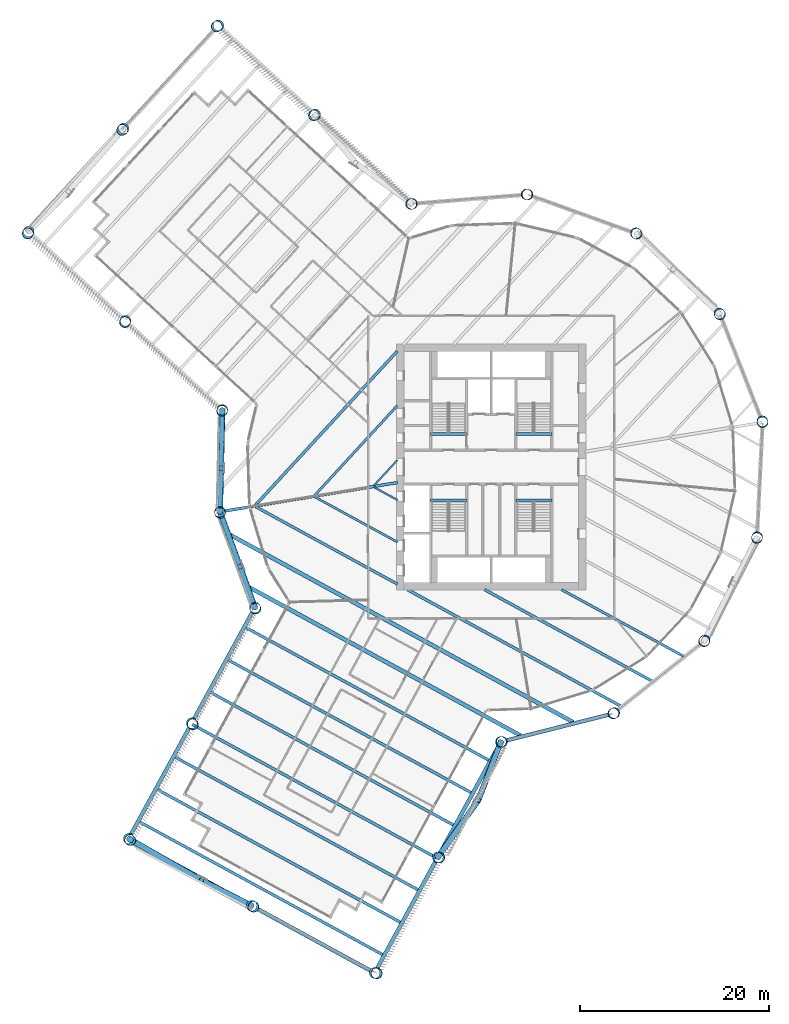
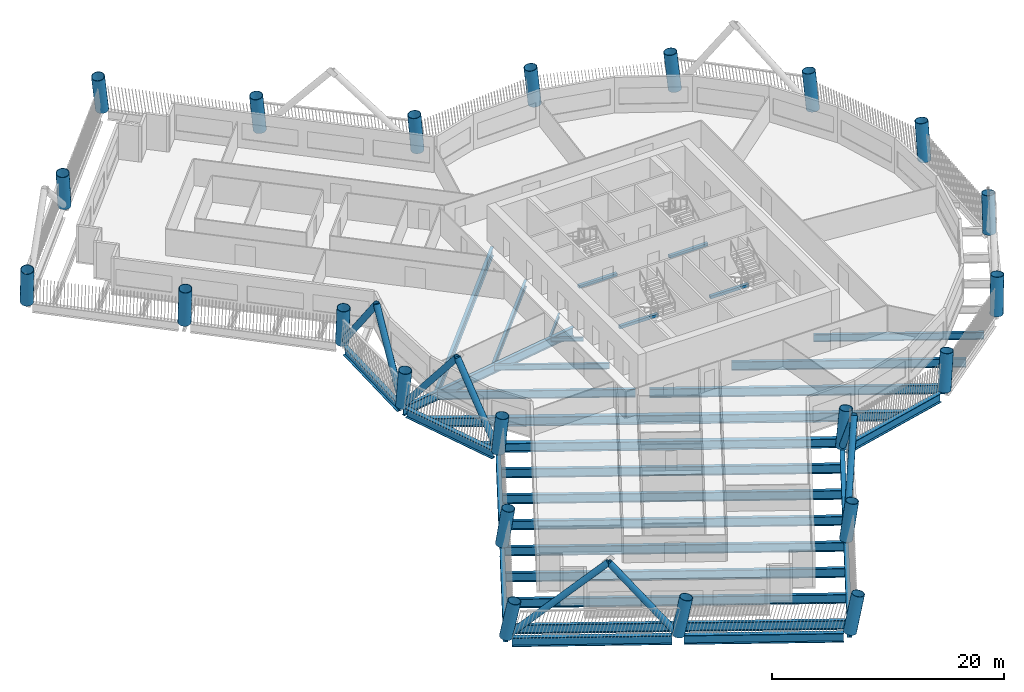
# One storey, part 1 of 24: 32 beams, 22 columns, 8 members.
"""IFC4 building model written with IfcOpenShell, lengths in metres."""

from ifc_helpers import new_model, si_unit, direction, frame, origin, origin_2d, place, context, subcontext, project, spatial, rectangle, hollow_circle, i_section, extrude, material, material_profile, profile_set, type_object, element, save


model = new_model("IFC4")

# Units and contexts
model_context = context("Model", 3, precision=1e-05, world=origin(), true_north=direction((0.0, 1.0)))
body_context = subcontext(model_context, "Body", "Model", "MODEL_VIEW")
ifc_project = project(units=[si_unit("LENGTHUNIT", "METRE"), si_unit("AREAUNIT", "SQUARE_METRE"), si_unit("VOLUMEUNIT", "CUBIC_METRE"), si_unit("PLANEANGLEUNIT", "RADIAN"), si_unit("MASSUNIT", "GRAM", prefix="KILO")], contexts=[model_context])

# Site, building, storey
site_placement = place(None, origin())
site = spatial("IfcSite", under=ifc_project, at=site_placement, CompositionType="ELEMENT")
building_placement = place(site_placement, origin())
building = spatial("IfcBuilding", under=site, at=building_placement, Name="Tarsis Ring Headquarters", CompositionType="ELEMENT")
storey_placement = place(building_placement, frame((0.0, 0.0, 92.800048828125)))
storey = spatial("IfcBuildingStorey", under=building, at=storey_placement, Name="L20", CompositionType="ELEMENT", Elevation=92.800048828125)

# Columns
ifc_material_1 = material(Name="Structural steel S355", Category="steel")
ifc_material_profile_1 = material_profile(ifc_material_1, hollow_circle(Radius=0.584228515625, WallThickness=0.044921875, at=origin_2d()), Name="CHS 1168x45")
ifc_profile_set_1 = profile_set([ifc_material_profile_1], Name="Structural steel S355")
column_type = type_object("IfcColumnType", Name="XC Exo column CHS 1168x45", PredefinedType="COLUMN", material=ifc_profile_set_1)
for number, where, z_axis, x_axis, name in (
    (1, (-28.66162109375, -4.725830078125, 0.0146484375), (0.017132929261, -0.099421012867, 0.994897946995), (0.985474426225, 0.169823894834, 0.0), "Exo column XC3 F1"),
    (2, (-24.968994140625, -14.844970703125, 0.0146484375), (0.052149181845, -0.08635254212, 0.994898839733), (0.856012692494, 0.516954804881, 0.0), "Exo column XC3 AK"),
):
    element("IfcColumn", number, at=place(storey_placement, frame(where, z_axis=z_axis, x_axis=x_axis)), inside=storey, type_object=column_type, Name=name, PredefinedType="COLUMN", context=body_context, shape_type="SweptSolid", body=[
        extrude(hollow_circle(Radius=0.584228515625, WallThickness=0.044921875, at=origin_2d()), origin(), (0.0, 0.0, 1.0), 3.904541015625),
    ])
column_1_placement = place(storey_placement, frame((-31.631103515625, -27.047119140625, 0.020751953125), z_axis=(0.094133183871, -0.108648757558, 0.989613253335), x_axis=(0.755789165961, 0.654815040004, 0.0)))
element("IfcColumn", 3, at=column_1_placement, inside=storey, type_object=column_type, Name="Exo column XC3 AI1", PredefinedType="COLUMN", context=body_context, shape_type="SweptSolid", body=[
    extrude(hollow_circle(Radius=0.584228515625, WallThickness=0.044921875, at=origin_2d()), origin(), (0.0, 0.0, 1.0), 3.9189453125),
])
column_2_placement = place(storey_placement, frame((-38.292724609375, -39.249755859375, 0.02685546875), z_axis=(0.135444086258, -0.130365707166, 0.982170902589), x_axis=(0.693470734013, 0.720484795861, 0.0)))
element("IfcColumn", 4, at=column_2_placement, inside=storey, type_object=column_type, Name="Exo column XC3 AT1", PredefinedType="COLUMN", context=body_context, shape_type="SweptSolid", body=[
    extrude(hollow_circle(Radius=0.584228515625, WallThickness=0.044921875, at=origin_2d()), origin(), (0.0, 0.0, 1.0), 3.942138671875),
])
column_3_placement = place(storey_placement, frame((-25.302978515625, -46.342041015625, 0.02587890625), z_axis=(0.15963920976, -0.085802200508, 0.98343952793), x_axis=(0.473426526032, 0.880833312523, 0.0)))
element("IfcColumn", 5, at=column_3_placement, inside=storey, type_object=column_type, Name="Exo column XC3 AT2", PredefinedType="COLUMN", context=body_context, shape_type="SweptSolid", body=[
    extrude(hollow_circle(Radius=0.584228515625, WallThickness=0.044921875, at=origin_2d()), origin(), (0.0, 0.0, 1.0), 3.93798828125),
])
column_4_placement = place(storey_placement, frame((-12.31298828125, -53.4345703125, 0.02685546875), z_axis=(0.183441773061, -0.040998802757, 0.982175246109), x_axis=(0.218116429322, 0.975922754761, 0.0)))
element("IfcColumn", 6, at=column_4_placement, inside=storey, type_object=column_type, Name="Exo column XC3 AT3", PredefinedType="COLUMN", context=body_context, shape_type="SweptSolid", body=[
    extrude(hollow_circle(Radius=0.584228515625, WallThickness=0.044921875, at=origin_2d()), origin(), (0.0, 0.0, 1.0), 3.942138671875),
])
column_5_placement = place(storey_placement, frame((-5.651611328125, -41.232666015625, 0.020751953125), z_axis=(0.142539447131, -0.018565015404, 0.989614998984), x_axis=(0.12915389828, 0.991624561293, 0.0)))
element("IfcColumn", 7, at=column_5_placement, inside=storey, type_object=column_type, Name="Exo column XC3 AO1", PredefinedType="COLUMN", context=body_context, shape_type="SweptSolid", body=[
    extrude(hollow_circle(Radius=0.584228515625, WallThickness=0.044921875, at=origin_2d()), origin(), (0.0, 0.0, 1.0), 3.9189453125),
])
for number, where, z_axis, x_axis, name in (
    (8, (1.01025390625, -29.031005859375, 0.0146484375), (0.100796677701, 0.004189440078, 0.994898225125), (-0.04152742148, 0.999137364563, 0.0), "Exo column XC3 AJ"),
    (9, (12.88671875, -26.03369140625, 0.0146484375), (0.090104133857, 0.045395975836, 0.994897205966), (-0.44993841657, 0.893059584403, 0.0), "Exo column XC3 R1"),
    (10, (22.471923828125, -18.407470703125, 0.0146484375), (0.063342060546, 0.078474122395, 0.994901801928), (-0.778139307299, 0.628091727724, 0.0), "Exo column XC3 R2"),
    (11, (28.061279296875, -7.50830078125, 0.0146484375), (0.025449318236, 0.097607827437, 0.994899514637), (-0.967650178748, 0.252295722454, 0.0), "Exo column XC3 R3"),
    (12, (28.66162109375, 4.725830078125, 0.0146484375), (-0.017132929261, 0.099421012867, 0.994897946995), (-0.985474426225, -0.169823894834, 0.0), "Exo column XC3 R4"),
    (13, (24.16552734375, 16.11962890625, 0.0146484375), (-0.056526278352, 0.083538836149, 0.994900016439), (-0.828215712343, -0.5604094341, 0.0), "Exo column XC3 R5"),
    (14, (15.372802734375, 24.6474609375, 0.0146484375), (-0.085977327138, 0.052774446622, 0.994898365162), (-0.523128783127, -0.852253645498, 0.0), "Exo column XC3 R6"),
    (15, (3.8466796875, 28.792724609375, 0.0146484375), (-0.100108589694, 0.012693343977, 0.994895546923), (-0.125788622378, -0.992057066141, 0.0), "Exo column XC3 R7"),
    (16, (-8.36328125, 27.818603515625, 0.0146484375), (-0.09641958365, -0.029701233615, 0.994897532719), (0.294390693657, -0.955685157093, 0.0), "Exo column XC3 BJ"),
):
    element("IfcColumn", number, at=place(storey_placement, frame(where, z_axis=z_axis, x_axis=x_axis)), inside=storey, type_object=column_type, Name=name, PredefinedType="COLUMN", context=body_context, shape_type="SweptSolid", body=[
        extrude(hollow_circle(Radius=0.584228515625, WallThickness=0.044921875, at=origin_2d()), origin(), (0.0, 0.0, 1.0), 3.904541015625),
    ])
column_6_placement = place(storey_placement, frame((-18.591552734375, 37.23486328125, 0.020751953125), z_axis=(-0.128148563132, -0.065102211217, 0.989615909261), x_axis=(0.452925612236, -0.891548310402, 0.0)))
element("IfcColumn", 17, at=column_6_placement, inside=storey, type_object=column_type, Name="Exo column XC3 BO1", PredefinedType="COLUMN", context=body_context, shape_type="SweptSolid", body=[
    extrude(hollow_circle(Radius=0.584228515625, WallThickness=0.044921875, at=origin_2d()), origin(), (0.0, 0.0, 1.0), 3.9189453125),
])
column_7_placement = place(storey_placement, frame((-28.820068359375, 46.650634765625, 0.02685546875), z_axis=(-0.159226430855, -0.099895851019, 0.982175016311), x_axis=(0.531449351583, -0.847090070006, 0.0)))
element("IfcColumn", 18, at=column_7_placement, inside=storey, type_object=column_type, Name="Exo column XC3 BT3", PredefinedType="COLUMN", context=body_context, shape_type="SweptSolid", body=[
    extrude(hollow_circle(Radius=0.584228515625, WallThickness=0.044921875, at=origin_2d()), origin(), (0.0, 0.0, 1.0), 3.942138671875),
])
column_8_placement = place(storey_placement, frame((-38.84423828125, 35.7626953125, 0.02587890625), z_axis=(-0.121822224752, -0.134159437335, 0.983443232185), x_axis=(0.740326953678, -0.672246979657, 0.0)))
element("IfcColumn", 19, at=column_8_placement, inside=storey, type_object=column_type, Name="Exo column XC3 BT2", PredefinedType="COLUMN", context=body_context, shape_type="SweptSolid", body=[
    extrude(hollow_circle(Radius=0.584228515625, WallThickness=0.044921875, at=origin_2d()), origin(), (0.0, 0.0, 1.0), 3.93798828125),
])
column_9_placement = place(storey_placement, frame((-48.86865234375, 24.874267578125, 0.02685546875), z_axis=(-0.084165056298, -0.168082386161, 0.982173383248), x_axis=(0.894163465001, -0.447740659151, 0.0)))
element("IfcColumn", 20, at=column_9_placement, inside=storey, type_object=column_type, Name="Exo column XC3 BT1", PredefinedType="COLUMN", context=body_context, shape_type="SweptSolid", body=[
    extrude(hollow_circle(Radius=0.584228515625, WallThickness=0.044921875, at=origin_2d()), origin(), (0.0, 0.0, 1.0), 3.942138671875),
])
column_10_placement = place(storey_placement, frame((-38.640625, 15.458984375, 0.020751953125), z_axis=(-0.052517292074, -0.13387860103, 0.989605201189), x_axis=(0.930935662527, -0.365183231043, 0.0)))
element("IfcColumn", 21, at=column_10_placement, inside=storey, type_object=column_type, Name="Exo column XC3 BI1", PredefinedType="COLUMN", context=body_context, shape_type="SweptSolid", body=[
    extrude(hollow_circle(Radius=0.584228515625, WallThickness=0.044921875, at=origin_2d()), origin(), (0.0, 0.0, 1.0), 3.9189453125),
])
column_11_placement = place(storey_placement, frame((-28.4130859375, 6.04296875, 0.0146484375), z_axis=(-0.020321950873, -0.098795945782, 0.994900185652), x_axis=(0.979493040302, -0.201477998796, 0.0)))
element("IfcColumn", 22, at=column_11_placement, inside=storey, type_object=column_type, Name="Exo column XC3 BK", PredefinedType="COLUMN", context=body_context, shape_type="SweptSolid", body=[
    extrude(hollow_circle(Radius=0.584228515625, WallThickness=0.044921875, at=origin_2d()), origin(), (0.0, 0.0, 1.0), 3.904541015625),
])

# Beams
ifc_material_profile_2 = material_profile(ifc_material_1, i_section(OverallWidth=0.177734375, OverallDepth=0.406494140625, WebThickness=0.0078125, FlangeThickness=0.0126953125, at=origin_2d()), Name="W16x40")
ifc_profile_set_2 = profile_set([ifc_material_profile_2], Name="Structural steel S355")
beam_type_1 = type_object("IfcBeamType", Name="FB Floor beam W16x40", PredefinedType="JOIST", material=ifc_profile_set_2)
beam_1_placement = place(storey_placement, frame((-12.367431640625, -2.13330078125, -0.36328125), z_axis=(0.877641961967, -0.47931679148, 0.0), x_axis=(0.47931679148, 0.877641961967, 0.0)))
element("IfcBeam", 23, at=beam_1_placement, inside=storey, type_object=beam_type_1, Name="Floor beam FB1", PredefinedType="JOIST", context=body_context, shape_type="SweptSolid", body=[
    extrude(i_section(OverallWidth=0.177734375, OverallDepth=0.406494140625, WebThickness=0.0078125, FlangeThickness=0.0126953125, at=origin_2d()), origin(), (0.0, 0.0, 1.0), 2.79736328125),
])
beam_2_placement = place(storey_placement, frame((-9.932373046875, 0.728759765625, -0.36328125), z_axis=(-0.677363063343, -0.735648883924, 0.0), x_axis=(0.735648883924, -0.677363063343, 0.0)))
element("IfcBeam", 24, at=beam_2_placement, inside=storey, type_object=beam_type_1, Name="Floor beam FB1", PredefinedType="JOIST", context=body_context, shape_type="SweptSolid", body=[
    extrude(i_section(OverallWidth=0.177734375, OverallDepth=0.406494140625, WebThickness=0.0078125, FlangeThickness=0.0126953125, at=origin_2d()), origin(), (0.0, 0.0, 1.0), 3.639892578125),
])
ifc_material_profile_3 = material_profile(ifc_material_1, i_section(OverallWidth=0.228271484375, OverallDepth=0.607177734375, WebThickness=0.01123046875, FlangeThickness=0.017333984375, at=origin_2d()), Name="W24x76")
ifc_profile_set_3 = profile_set([ifc_material_profile_3], Name="Structural steel S355")
beam_type_2 = type_object("IfcBeamType", Name="FB Floor beam W24x76", PredefinedType="JOIST", material=ifc_profile_set_3)
beam_3_placement = place(storey_placement, frame((-18.617919921875, -3.163330078125, -0.463623046875), z_axis=(0.877645248492, -0.479310773715, 0.0), x_axis=(0.479310773715, 0.877645248492, 0.0)))
element("IfcBeam", 25, at=beam_3_placement, inside=storey, type_object=beam_type_2, Name="Floor beam FB4", PredefinedType="JOIST", context=body_context, shape_type="SweptSolid", body=[
    extrude(i_section(OverallWidth=0.228271484375, OverallDepth=0.607177734375, WebThickness=0.01123046875, FlangeThickness=0.017333984375, at=origin_2d()), origin(), (0.0, 0.0, 1.0), 9.919189453125),
])
ifc_material_profile_4 = material_profile(ifc_material_1, i_section(OverallWidth=0.2529296875, OverallDepth=0.67822265625, WebThickness=0.01171875, FlangeThickness=0.016357421875, at=origin_2d()), Name="W27x84")
ifc_profile_set_4 = profile_set([ifc_material_profile_4], Name="Structural steel S355")
beam_type_3 = type_object("IfcBeamType", Name="FB Floor beam W27x84", PredefinedType="JOIST", material=ifc_profile_set_4)
beam_4_placement = place(storey_placement, frame((-9.932373046875, 6.486083984375, -0.499267578125), z_axis=(-0.677381197749, -0.735632185903, 0.0), x_axis=(0.735632185903, -0.677381197749, 0.0)))
element("IfcBeam", 26, at=beam_4_placement, inside=storey, type_object=beam_type_3, Name="Floor beam FB5", PredefinedType="JOIST", context=body_context, shape_type="SweptSolid", body=[
    extrude(i_section(OverallWidth=0.2529296875, OverallDepth=0.67822265625, WebThickness=0.01171875, FlangeThickness=0.016357421875, at=origin_2d()), origin(), (0.0, 0.0, 1.0), 12.866943359375),
])
ifc_material_profile_5 = material_profile(ifc_material_1, i_section(OverallWidth=0.2666015625, OverallDepth=0.7568359375, WebThickness=0.013916015625, FlangeThickness=0.019287109375, at=origin_2d()), Name="W30x108")
ifc_profile_set_5 = profile_set([ifc_material_profile_5], Name="Structural steel S355")
beam_type_4 = type_object("IfcBeamType", Name="FB Floor beam W30x108", PredefinedType="JOIST", material=ifc_profile_set_5)
beam_5_placement = place(storey_placement, frame((7.44287109375, -12.9521484375, -0.53857421875), z_axis=(0.877646552512, -0.479308385973, 0.0), x_axis=(0.479308385973, 0.877646552512, 0.0)))
element("IfcBeam", 27, at=beam_5_placement, inside=storey, type_object=beam_type_4, Name="Floor beam FB6", PredefinedType="JOIST", context=body_context, shape_type="SweptSolid", body=[
    extrude(i_section(OverallWidth=0.2666015625, OverallDepth=0.7568359375, WebThickness=0.013916015625, FlangeThickness=0.019287109375, at=origin_2d()), origin(), (0.0, 0.0, 1.0), 14.65673828125),
])
ifc_material_profile_6 = material_profile(ifc_material_1, i_section(OverallWidth=0.2919921875, OverallDepth=0.835693359375, WebThickness=0.013916015625, FlangeThickness=0.018798828125, at=origin_2d()), Name="W33x118")
ifc_profile_set_6 = profile_set([ifc_material_profile_6], Name="Structural steel S355")
beam_type_5 = type_object("IfcBeamType", Name="FB Floor beam W33x118", PredefinedType="JOIST", material=ifc_profile_set_6)
beam_6_placement = place(storey_placement, frame((-24.8681640625, -4.193603515625, -0.577880859375), z_axis=(0.877642496565, -0.479315812616, 0.0), x_axis=(0.479315812616, 0.877642496565, 0.0)))
element("IfcBeam", 28, at=beam_6_placement, inside=storey, type_object=beam_type_5, Name="Floor beam FB7", PredefinedType="JOIST", context=body_context, shape_type="SweptSolid", body=[
    extrude(i_section(OverallWidth=0.2919921875, OverallDepth=0.835693359375, WebThickness=0.013916015625, FlangeThickness=0.018798828125, at=origin_2d()), origin(), (0.0, 0.0, 1.0), 17.040771484375),
])
ifc_material_profile_7 = material_profile(ifc_material_1, i_section(OverallWidth=0.3046875, OverallDepth=0.904296875, WebThickness=0.01513671875, FlangeThickness=0.02001953125, at=origin_2d()), Name="W36x135")
ifc_profile_set_7 = profile_set([ifc_material_profile_7], Name="Structural steel S355")
beam_type_6 = type_object("IfcBeamType", Name="FB Floor beam W36x135", PredefinedType="JOIST", material=ifc_profile_set_7)
beam_7_placement = place(storey_placement, frame((-0.694091796875, -12.9521484375, -0.612060546875), z_axis=(0.87765241686, -0.479297647793, 0.0), x_axis=(0.479297647793, 0.87765241686, 0.0)))
element("IfcBeam", 29, at=beam_7_placement, inside=storey, type_object=beam_type_6, Name="Floor beam FB8", PredefinedType="JOIST", context=body_context, shape_type="SweptSolid", body=[
    extrude(i_section(OverallWidth=0.3046875, OverallDepth=0.904296875, WebThickness=0.01513671875, FlangeThickness=0.02001953125, at=origin_2d()), origin(), (0.0, 0.0, 1.0), 20.154296875),
])
ifc_material_profile_8 = material_profile(ifc_material_1, i_section(OverallWidth=0.3046875, OverallDepth=0.91943359375, WebThickness=0.017333984375, FlangeThickness=0.02783203125, at=origin_2d()), Name="W36x170")
ifc_profile_set_8 = profile_set([ifc_material_profile_8], Name="Structural steel S355")
beam_type_7 = type_object("IfcBeamType", Name="FB Floor beam W36x170", PredefinedType="JOIST", material=ifc_profile_set_8)
beam_8_placement = place(storey_placement, frame((-9.932373046875, 12.243408203125, -0.619873046875), z_axis=(-0.677384185346, -0.735629434868, 0.0), x_axis=(0.735629434868, -0.677384185346, 0.0)))
element("IfcBeam", 30, at=beam_8_placement, inside=storey, type_object=beam_type_7, Name="Floor beam FB9", PredefinedType="JOIST", context=body_context, shape_type="SweptSolid", body=[
    extrude(i_section(OverallWidth=0.3046875, OverallDepth=0.91943359375, WebThickness=0.017333984375, FlangeThickness=0.02783203125, at=origin_2d()), origin(), (0.0, 0.0, 1.0), 22.093994140625),
])
ifc_material_profile_9 = material_profile(ifc_material_1, i_section(OverallWidth=0.309814453125, OverallDepth=0.93212890625, WebThickness=0.02099609375, FlangeThickness=0.034423828125, at=origin_2d()), Name="W36x210")
ifc_profile_set_9 = profile_set([ifc_material_profile_9], Name="Structural steel S355")
beam_type_8 = type_object("IfcBeamType", Name="FB Floor beam W36x210", PredefinedType="JOIST", material=ifc_profile_set_9)
beam_9_placement = place(storey_placement, frame((-8.830810546875, -12.9521484375, -0.626220703125), z_axis=(0.877649577535, -0.479302846907, 0.0), x_axis=(0.479302846907, 0.877649577535, 0.0)))
element("IfcBeam", 31, at=beam_9_placement, inside=storey, type_object=beam_type_8, Name="Floor beam FB10", PredefinedType="JOIST", context=body_context, shape_type="SweptSolid", body=[
    extrude(i_section(OverallWidth=0.309814453125, OverallDepth=0.93212890625, WebThickness=0.02099609375, FlangeThickness=0.034423828125, at=origin_2d()), origin(), (0.0, 0.0, 1.0), 25.651611328125),
])
ifc_material_profile_10 = material_profile(ifc_material_1, i_section(OverallWidth=0.309814453125, OverallDepth=0.949951171875, WebThickness=0.0244140625, FlangeThickness=0.0439453125, at=origin_2d()), Name="W36x256")
ifc_profile_set_10 = profile_set([ifc_material_profile_10], Name="Structural steel S355")
beam_type_9 = type_object("IfcBeamType", Name="FB Floor beam W36x256", PredefinedType="JOIST", material=ifc_profile_set_10)
for number, where, z_axis, x_axis, name in (
    (32, (-25.975830078125, -16.919921875, -0.635009765625), (0.877651212551, -0.479299853024, 0.0), (0.479299853024, 0.877651212551, 0.0), "Floor beam FB11"),
    (33, (-27.84521484375, -20.3427734375, -0.635009765625), (0.877651212551, -0.479299853024, 0.0), (0.479299853024, 0.877651212551, 0.0), "Floor beam FB11"),
    (34, (-29.71435546875, -23.765380859375, -0.635009765625), (0.877645807158, -0.479309750764, 0.0), (0.479309750764, 0.877645807158, 0.0), "Floor beam FB11"),
):
    element("IfcBeam", number, at=place(storey_placement, frame(where, z_axis=z_axis, x_axis=x_axis)), inside=storey, type_object=beam_type_9, Name=name, PredefinedType="JOIST", context=body_context, shape_type="SweptSolid", body=[
        extrude(i_section(OverallWidth=0.309814453125, OverallDepth=0.949951171875, WebThickness=0.0244140625, FlangeThickness=0.0439453125, at=origin_2d()), origin(), (0.0, 0.0, 1.0), 29.375732421875),
    ])
beam_10_placement = place(storey_placement, frame((-31.583740234375, -27.188232421875, -0.635009765625), z_axis=(0.87764771648, -0.479306254662, 0.0), x_axis=(0.479306254662, 0.87764771648, 0.0)))
element("IfcBeam", 35, at=beam_10_placement, inside=storey, type_object=beam_type_9, Name="Floor beam FB11", PredefinedType="JOIST", context=body_context, shape_type="SweptSolid", body=[
    extrude(i_section(OverallWidth=0.309814453125, OverallDepth=0.949951171875, WebThickness=0.0244140625, FlangeThickness=0.0439453125, at=origin_2d()), origin(), (0.0, 0.0, 1.0), 29.3759765625),
])
beam_11_placement = place(storey_placement, frame((-33.452880859375, -30.611083984375, -0.635009765625), z_axis=(0.877645807158, -0.479309750764, 0.0), x_axis=(0.479309750764, 0.877645807158, 0.0)))
element("IfcBeam", 36, at=beam_11_placement, inside=storey, type_object=beam_type_9, Name="Floor beam FB11", PredefinedType="JOIST", context=body_context, shape_type="SweptSolid", body=[
    extrude(i_section(OverallWidth=0.309814453125, OverallDepth=0.949951171875, WebThickness=0.0244140625, FlangeThickness=0.0439453125, at=origin_2d()), origin(), (0.0, 0.0, 1.0), 29.375732421875),
])
for number, where, z_axis, x_axis, name in (
    (37, (-35.322265625, -34.033935546875, -0.635009765625), (0.87764771648, -0.479306254662, 0.0), (0.479306254662, 0.87764771648, 0.0), "Floor beam FB11"),
    (38, (-37.191650390625, -37.456787109375, -0.635009765625), (0.87764771648, -0.479306254662, 0.0), (0.479306254662, 0.87764771648, 0.0), "Floor beam FB11"),
):
    element("IfcBeam", number, at=place(storey_placement, frame(where, z_axis=z_axis, x_axis=x_axis)), inside=storey, type_object=beam_type_9, Name=name, PredefinedType="JOIST", context=body_context, shape_type="SweptSolid", body=[
        extrude(i_section(OverallWidth=0.309814453125, OverallDepth=0.949951171875, WebThickness=0.0244140625, FlangeThickness=0.0439453125, at=origin_2d()), origin(), (0.0, 0.0, 1.0), 29.3759765625),
    ])
beam_type_10 = type_object("IfcBeamType", Name="FB Floor beam W36x256 spine", PredefinedType="BEAM", material=ifc_profile_set_10)
beam_12_placement = place(storey_placement, frame((-9.9013671875, -1.632080078125, -0.635009765625), z_axis=(-0.986685653206, -0.162638930634, 0.0), x_axis=(0.162638930634, -0.986685653206, 0.0)))
element("IfcBeam", 39, at=beam_12_placement, inside=storey, type_object=beam_type_10, Name="Floor beam SB11", PredefinedType="BEAM", context=body_context, shape_type="SweptSolid", body=[
    extrude(i_section(OverallWidth=0.309814453125, OverallDepth=0.949951171875, WebThickness=0.0244140625, FlangeThickness=0.0439453125, at=origin_2d()), origin(), (0.0, 0.0, 1.0), 18.897705078125),
])
ifc_material_profile_11 = material_profile(ifc_material_1, i_section(OverallWidth=0.42431640625, OverallDepth=0.947509765625, WebThickness=0.02392578125, FlangeThickness=0.042724609375, at=origin_2d()), Name="W36x302")
ifc_profile_set_11 = profile_set([ifc_material_profile_11], Name="Structural steel S355")
beam_type_11 = type_object("IfcBeamType", Name="FB Floor beam W36x302", PredefinedType="JOIST", material=ifc_profile_set_11)
beam_13_placement = place(storey_placement, frame((-27.628662109375, -7.1298828125, -0.6337890625), z_axis=(0.877650204779, -0.479301698361, 0.0), x_axis=(0.479301698361, 0.877650204779, 0.0)))
element("IfcBeam", 40, at=beam_13_placement, inside=storey, type_object=beam_type_11, Name="Floor beam FB12", PredefinedType="JOIST", context=body_context, shape_type="SweptSolid", body=[
    extrude(i_section(OverallWidth=0.42431640625, OverallDepth=0.947509765625, WebThickness=0.02392578125, FlangeThickness=0.042724609375, at=origin_2d()), origin(), (0.0, 0.0, 1.0), 41.35302734375),
])
beam_14_placement = place(storey_placement, frame((-25.603759765625, -12.67919921875, -0.6337890625), z_axis=(0.877647540498, -0.479306576898, 0.0), x_axis=(0.479306576898, 0.877647540498, 0.0)))
element("IfcBeam", 41, at=beam_14_placement, inside=storey, type_object=beam_type_11, Name="Floor beam FB12", PredefinedType="JOIST", context=body_context, shape_type="SweptSolid", body=[
    extrude(i_section(OverallWidth=0.42431640625, OverallDepth=0.947509765625, WebThickness=0.02392578125, FlangeThickness=0.042724609375, at=origin_2d()), origin(), (0.0, 0.0, 1.0), 32.70458984375),
])
ifc_material_2 = material(Name="Concrete C40/50", Category="concrete")
ifc_material_profile_12 = material_profile(ifc_material_2, rectangle(XDim=0.300048828125, YDim=0.300048828125, at=origin_2d()), Name="Stair head beam 300x300 C40/50")
ifc_profile_set_12 = profile_set([ifc_material_profile_12], Name="Concrete C40/50")
beam_type_12 = type_object("IfcBeamType", Name="Stair head beam 300x300 C40/50", PredefinedType="BEAM", material=ifc_profile_set_12)
for number, where, z_axis, x_axis, name in (
    (42, (-6.39990234375, 3.510009765625, -0.31005859375), (1.0, 0.0, 0.0), (0.0, 1.0, 0.0), "Stair head beam L20 Firefighting stair"),
    (43, (2.60009765625, 3.510009765625, -0.31005859375), (1.0, 0.0, 0.0), (0.0, 1.0, 0.0), "Stair head beam L20 Exit stair B"),
    (44, (-6.39990234375, -3.510009765625, -0.31005859375), (1.0, 0.0, 0.0), (0.0, 1.0, 0.0), "Stair head beam L20 Exit stair C"),
    (45, (2.60009765625, -3.510009765625, -0.31005859375), (1.0, 0.0, 0.0), (0.0, 1.0, 0.0), "Stair head beam L20 Exit stair D"),
):
    element("IfcBeam", number, at=place(storey_placement, frame(where, z_axis=z_axis, x_axis=x_axis)), inside=storey, type_object=beam_type_12, Name=name, PredefinedType="BEAM", context=body_context, shape_type="SweptSolid", body=[
        extrude(rectangle(XDim=0.300048828125, YDim=0.300048828125, at=origin_2d()), origin(), (0.0, 0.0, 1.0), 3.7998046875),
    ])

# Members
ifc_material_profile_13 = material_profile(ifc_material_1, hollow_circle(Radius=0.3046875, WallThickness=0.02490234375, at=origin_2d()), Name="CHS 610x25")
ifc_profile_set_13 = profile_set([ifc_material_profile_13], Name="Structural steel S355")
member_type = type_object("IfcMemberType", Name="XD X brace CHS 610x25", PredefinedType="BRACE", material=ifc_profile_set_13)
member_1_placement = place(storey_placement, frame((-28.661865234375, -4.724365234375, 0.0), z_axis=(0.213516634804, -0.582025618612, 0.784638022238), x_axis=(0.938820393345, 0.344407126872, 0.0)))
element("IfcMember", 46, at=member_1_placement, inside=storey, type_object=member_type, Name="X brace XD1", PredefinedType="BRACE", context=body_context, shape_type="SweptSolid", body=[
    extrude(hollow_circle(Radius=0.3046875, WallThickness=0.02490234375, at=origin_2d()), origin(), (0.0, 0.0, 1.0), 9.94091796875),
])
member_2_placement = place(storey_placement, frame((-24.9697265625, -14.843505859375, 0.0), z_axis=(-0.173245139191, 0.478290243507, 0.86094399627), x_axis=(-0.940221110473, -0.340564624442, 0.0)))
element("IfcMember", 47, at=member_2_placement, inside=storey, type_object=member_type, Name="X brace XD1", PredefinedType="BRACE", context=body_context, shape_type="SweptSolid", body=[
    extrude(hollow_circle(Radius=0.3046875, WallThickness=0.02490234375, at=origin_2d()), origin(), (0.0, 0.0, 1.0), 9.059814453125),
])
member_3_placement = place(storey_placement, frame((-38.29638671875, -39.24609375, 0.0), z_axis=(0.650626673911, -0.372895925481, 0.661538781898), x_axis=(0.497253604741, 0.867605240056, 0.0)))
element("IfcMember", 48, at=member_3_placement, inside=storey, type_object=member_type, Name="X brace XD1", PredefinedType="BRACE", context=body_context, shape_type="SweptSolid", body=[
    extrude(hollow_circle(Radius=0.3046875, WallThickness=0.02490234375, at=origin_2d()), origin(), (0.0, 0.0, 1.0), 11.790771484375),
])
member_4_placement = place(storey_placement, frame((-25.307373046875, -46.33984375, 0.0), z_axis=(-0.541623781498, 0.274703545026, 0.794469408892), x_axis=(-0.452332714506, -0.89184926719, 0.0)))
element("IfcMember", 49, at=member_4_placement, inside=storey, type_object=member_type, Name="X brace XD1", PredefinedType="BRACE", context=body_context, shape_type="SweptSolid", body=[
    extrude(hollow_circle(Radius=0.3046875, WallThickness=0.02490234375, at=origin_2d()), origin(), (0.0, 0.0, 1.0), 9.81787109375),
])
member_5_placement = place(storey_placement, frame((-5.65478515625, -41.232177734375, 0.0), z_axis=(0.398499455216, 0.562136469669, 0.724707371054), x_axis=(-0.815805747308, 0.578326017622, 0.0)))
element("IfcMember", 50, at=member_5_placement, inside=storey, type_object=member_type, Name="X brace XD1", PredefinedType="BRACE", context=body_context, shape_type="SweptSolid", body=[
    extrude(hollow_circle(Radius=0.3046875, WallThickness=0.02490234375, at=origin_2d()), origin(), (0.0, 0.0, 1.0), 10.762939453125),
])
member_6_placement = place(storey_placement, frame((1.0087890625, -29.031005859375, 0.0), z_axis=(-0.232491132096, -0.60223952108, 0.763711616218), x_axis=(0.932898250318, -0.360140048527, 0.0)))
element("IfcMember", 51, at=member_6_placement, inside=storey, type_object=member_type, Name="X brace XD1", PredefinedType="BRACE", context=body_context, shape_type="SweptSolid", body=[
    extrude(hollow_circle(Radius=0.3046875, WallThickness=0.02490234375, at=origin_2d()), origin(), (0.0, 0.0, 1.0), 10.21337890625),
])
member_7_placement = place(storey_placement, frame((-28.41259765625, 6.04443359375, 0.0), z_axis=(-0.013286377366, -0.619818099762, 0.784633032305), x_axis=(0.999770329601, -0.021431006748, 0.0)))
element("IfcMember", 52, at=member_7_placement, inside=storey, type_object=member_type, Name="X brace XD1", PredefinedType="BRACE", context=body_context, shape_type="SweptSolid", body=[
    extrude(hollow_circle(Radius=0.3046875, WallThickness=0.02490234375, at=origin_2d()), origin(), (0.0, 0.0, 1.0), 9.94091796875),
])
member_8_placement = place(storey_placement, frame((-28.661865234375, -4.724365234375, 0.0), z_axis=(0.012934840496, 0.508527864581, 0.860948372927), x_axis=(-0.999676665552, 0.025427629668, 0.0)))
element("IfcMember", 53, at=member_8_placement, inside=storey, type_object=member_type, Name="X brace XD1", PredefinedType="BRACE", context=body_context, shape_type="SweptSolid", body=[
    extrude(hollow_circle(Radius=0.3046875, WallThickness=0.02490234375, at=origin_2d()), origin(), (0.0, 0.0, 1.0), 9.059814453125),
])

# Beams
beam_type_13 = type_object("IfcBeamType", Name="XG Ring girder W36x302", PredefinedType="BEAM", material=ifc_profile_set_11)
beam_15_placement = place(storey_placement, frame((-28.4814453125, -5.21826171875, -0.4736328125), z_axis=(0.342747183037, -0.939427681368, 0.0), x_axis=(0.939427681368, 0.342747183037, 0.0)))
element("IfcBeam", 54, at=beam_15_placement, inside=storey, type_object=beam_type_13, Name="Ring girder XG1", PredefinedType="BEAM", context=body_context, shape_type="SweptSolid", body=[
    extrude(i_section(OverallWidth=0.42431640625, OverallDepth=0.947509765625, WebThickness=0.02392578125, FlangeThickness=0.042724609375, at=origin_2d()), origin(), (0.0, 0.0, 1.0), 9.72021484375),
])
beam_16_placement = place(storey_placement, frame((-25.2216796875, -15.304931640625, -0.4736328125), z_axis=(-0.479300638873, -0.877650783385, 0.0), x_axis=(0.877650783385, -0.479300638873, 0.0)))
element("IfcBeam", 55, at=beam_16_placement, inside=storey, type_object=beam_type_13, Name="Ring girder XG1", PredefinedType="BEAM", context=body_context, shape_type="SweptSolid", body=[
    extrude(i_section(OverallWidth=0.42431640625, OverallDepth=0.947509765625, WebThickness=0.02392578125, FlangeThickness=0.042724609375, at=origin_2d()), origin(), (0.0, 0.0, 1.0), 12.850830078125),
])
beam_17_placement = place(storey_placement, frame((-31.885009765625, -27.50634765625, -0.4736328125), z_axis=(-0.47930863066, -0.877646418881, 0.0), x_axis=(0.877646418881, -0.47930863066, 0.0)))
element("IfcBeam", 56, at=beam_17_placement, inside=storey, type_object=beam_type_13, Name="Ring girder XG1", PredefinedType="BEAM", context=body_context, shape_type="SweptSolid", body=[
    extrude(i_section(OverallWidth=0.42431640625, OverallDepth=0.947509765625, WebThickness=0.02392578125, FlangeThickness=0.042724609375, at=origin_2d()), origin(), (0.0, 0.0, 1.0), 12.8505859375),
])
beam_18_placement = place(storey_placement, frame((-37.8349609375, -39.498046875, -0.4736328125), z_axis=(0.877641638083, -0.47931738452, 0.0), x_axis=(0.47931738452, 0.877641638083, 0.0)))
element("IfcBeam", 57, at=beam_18_placement, inside=storey, type_object=beam_type_13, Name="Ring girder XG1", PredefinedType="BEAM", context=body_context, shape_type="SweptSolid", body=[
    extrude(i_section(OverallWidth=0.42431640625, OverallDepth=0.947509765625, WebThickness=0.02392578125, FlangeThickness=0.042724609375, at=origin_2d()), origin(), (0.0, 0.0, 1.0), 13.748291015625),
])
beam_19_placement = place(storey_placement, frame((-24.845947265625, -46.591796875, -0.4736328125), z_axis=(0.877645717746, -0.479309914483, 0.0), x_axis=(0.479309914483, 0.877645717746, 0.0)))
element("IfcBeam", 58, at=beam_19_placement, inside=storey, type_object=beam_type_13, Name="Ring girder XG1", PredefinedType="BEAM", context=body_context, shape_type="SweptSolid", body=[
    extrude(i_section(OverallWidth=0.42431640625, OverallDepth=0.947509765625, WebThickness=0.02392578125, FlangeThickness=0.042724609375, at=origin_2d()), origin(), (0.0, 0.0, 1.0), 13.74853515625),
])
beam_20_placement = place(storey_placement, frame((-12.066162109375, -52.97216796875, -0.4736328125), z_axis=(0.479300638873, 0.877650783385, 0.0), x_axis=(-0.877650783385, 0.479300638873, 0.0)))
element("IfcBeam", 59, at=beam_20_placement, inside=storey, type_object=beam_type_13, Name="Ring girder XG1", PredefinedType="BEAM", context=body_context, shape_type="SweptSolid", body=[
    extrude(i_section(OverallWidth=0.42431640625, OverallDepth=0.947509765625, WebThickness=0.02392578125, FlangeThickness=0.042724609375, at=origin_2d()), origin(), (0.0, 0.0, 1.0), 12.850830078125),
])
beam_21_placement = place(storey_placement, frame((-5.402587890625, -40.770751953125, -0.4736328125), z_axis=(0.47930863066, 0.877646418881, 0.0), x_axis=(-0.877646418881, 0.47930863066, 0.0)))
element("IfcBeam", 60, at=beam_21_placement, inside=storey, type_object=beam_type_13, Name="Ring girder XG1", PredefinedType="BEAM", context=body_context, shape_type="SweptSolid", body=[
    extrude(i_section(OverallWidth=0.42431640625, OverallDepth=0.947509765625, WebThickness=0.02392578125, FlangeThickness=0.042724609375, at=origin_2d()), origin(), (0.0, 0.0, 1.0), 12.8505859375),
])
beam_22_placement = place(storey_placement, frame((1.5185546875, -28.90234375, -0.4736328125), z_axis=(0.969609191691, 0.244658977737, 0.0), x_axis=(-0.244658977737, 0.969609191691, 0.0)))
element("IfcBeam", 61, at=beam_22_placement, inside=storey, type_object=beam_type_13, Name="Ring girder XG1", PredefinedType="BEAM", context=body_context, shape_type="SweptSolid", body=[
    extrude(i_section(OverallWidth=0.42431640625, OverallDepth=0.947509765625, WebThickness=0.02392578125, FlangeThickness=0.042724609375, at=origin_2d()), origin(), (0.0, 0.0, 1.0), 11.197265625),
])
beam_23_placement = place(storey_placement, frame((-28.4248046875, 5.518798828125, -0.4736328125), z_axis=(-0.023132767429, -0.999732401731, 0.0), x_axis=(0.999732401731, -0.023132767429, 0.0)))
element("IfcBeam", 62, at=beam_23_placement, inside=storey, type_object=beam_type_13, Name="Ring girder XG1", PredefinedType="BEAM", context=body_context, shape_type="SweptSolid", body=[
    extrude(i_section(OverallWidth=0.42431640625, OverallDepth=0.947509765625, WebThickness=0.02392578125, FlangeThickness=0.042724609375, at=origin_2d()), origin(), (0.0, 0.0, 1.0), 9.72021484375),
])

save(model, "model.ifc")
